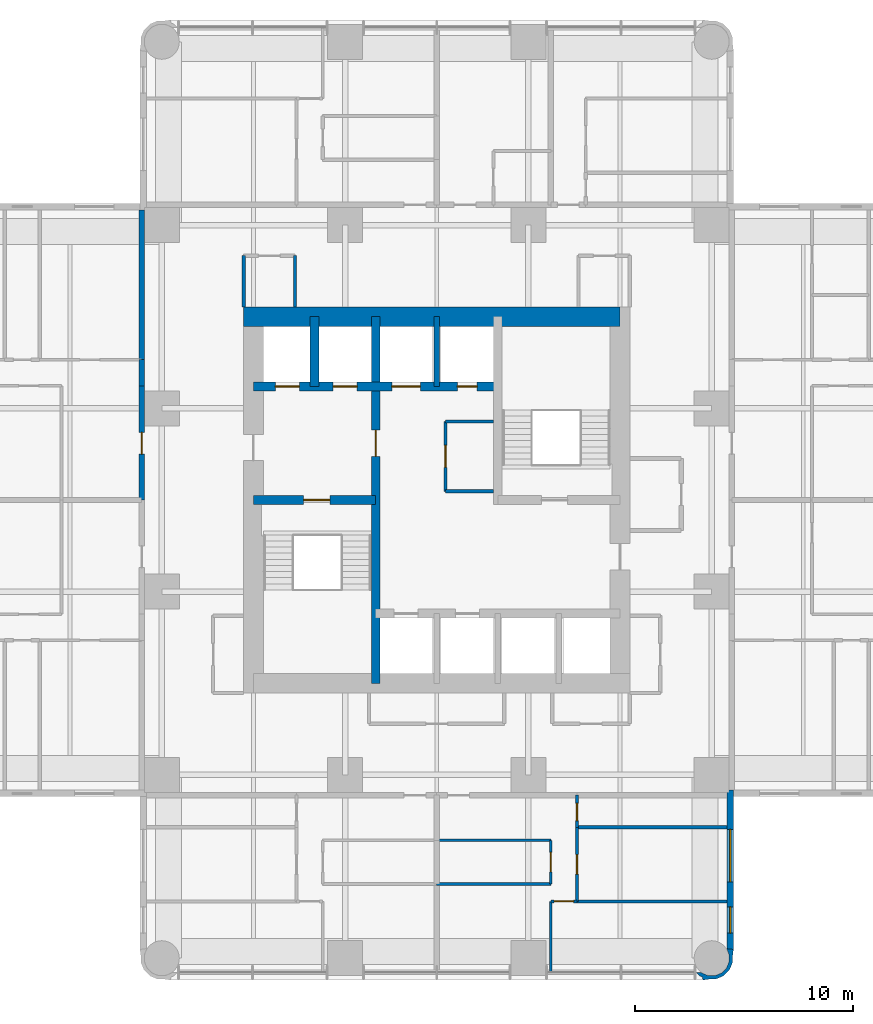
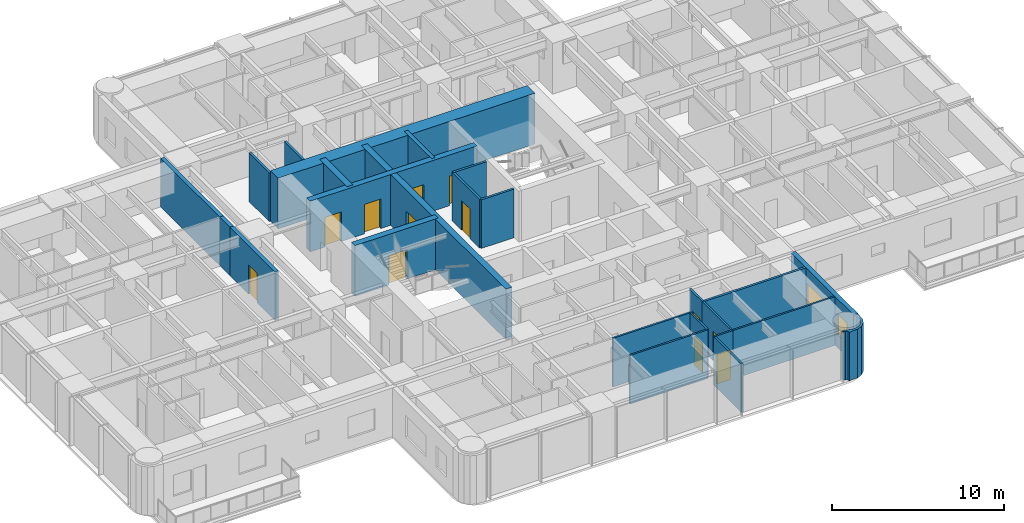
# One storey, part 8 of 15: 25 walls, 12 doors, 2 windows, 14 openings.
"""IFC4 building model written with IfcOpenShell, lengths in metres."""

from ifc_helpers import new_model, si_unit, direction, frame, frame_2d, origin, place, context, subcontext, project, spatial, polyline, rectangle, outline, extrude, material, layer, layer_set, type_object, element, fill, save


model = new_model("IFC4")

# Units and contexts
model_context = context("Model", 3, precision=1e-05, world=origin(), true_north=direction((0.0, 1.0)))
body_context = subcontext(model_context, "Body", "Model", "MODEL_VIEW")
ifc_project = project(units=[si_unit("LENGTHUNIT", "METRE"), si_unit("AREAUNIT", "SQUARE_METRE"), si_unit("VOLUMEUNIT", "CUBIC_METRE"), si_unit("PLANEANGLEUNIT", "RADIAN"), si_unit("MASSUNIT", "GRAM", prefix="KILO")], contexts=[model_context])

# Site, building, storey
site_placement = place(None, origin())
site = spatial("IfcSite", under=ifc_project, at=site_placement, CompositionType="ELEMENT")
building_placement = place(site_placement, origin())
building = spatial("IfcBuilding", under=site, at=building_placement, Name="Torre Alcanfor", CompositionType="ELEMENT")
storey_placement = place(building_placement, frame((0.0, 0.0, 144.89990234375)))
storey = spatial("IfcBuildingStorey", under=building, at=storey_placement, Name="L37", CompositionType="ELEMENT", Elevation=144.89990234375)

# Wall, opening, door
ifc_material_1 = material(Name="Concrete block masonry, hollow blocks NMX-C-404 9 MPa", Category="masonry")
ifc_layer_1 = layer(ifc_material_1, 0.25)
ifc_layer_set_1 = layer_set([ifc_layer_1], Name="Apartment entrance wall 250 EI 60")
wall_type_1 = type_object("IfcWallType", Name="Apartment entrance wall 250 EI 60", PredefinedType="PARTITIONING", material=ifc_layer_set_1)
wall_1_placement = place(storey_placement, frame((15.875, 29.39990234375, 0.0), z_axis=(0.0, 0.0, 1.0), x_axis=(0.0, 1.0, 0.0)))
wall_1 = element("IfcWall", 1, at=wall_1_placement, inside=storey, type_object=wall_type_1, Name="Partition L37-CORR / L37-W2-ZAG", PredefinedType="PARTITIONING", context=body_context, shape_type="SweptSolid", body=[
    extrude(rectangle(XDim=5.22900390625, YDim=0.25, at=frame_2d((2.614501953125, 0.0))), origin(), (0.0, 0.0, 1.0), 3.4501953125),
])
opening_1_placement = place(wall_1_placement, frame((2.10009765625, 0.0, 0.0)))
opening_1 = element("IfcOpeningElement", 2, at=opening_1_placement, cuts=wall_1, Name="Opening D-A1", PredefinedType="OPENING", context=body_context, shape_type="SweptSolid", body=[
    extrude(rectangle(XDim=1.0, YDim=2.10009765625, at=frame_2d((0.5, 1.050048828125))), frame((0.0, 0.135009765625, 0.0), z_axis=(0.0, -1.0, 0.0), x_axis=(1.0, 0.0, 0.0)), (0.0, 0.0, 1.0), 0.27001953125),
])
ifc_material_2 = material(Name="Galvanised steel sheet ASTM A653", Category="steel")
door_type_1 = type_object("IfcDoorType", Name="Apartment entrance door FD60 1000x2100", OperationType="SINGLE_SWING_LEFT", PredefinedType="DOOR", material=ifc_material_2)
door_1_placement = place(opening_1_placement, origin())
door_1 = element("IfcDoor", 3, at=door_1_placement, inside=storey, type_object=door_type_1, Name="Apartment entrance L37-W2", OperationType="SINGLE_SWING_LEFT", OverallHeight=2.10009765625, OverallWidth=1.0, PredefinedType="DOOR", context=body_context, shape_type="SweptSolid", body=[
    extrude(rectangle(XDim=1.0, YDim=2.10009765625, at=frame_2d((0.5, 1.050048828125))), frame((0.0, 0.02490234375, 0.0), z_axis=(0.0, -1.0, 0.0), x_axis=(1.0, 0.0, 0.0)), (0.0, 0.0, 1.0), 0.050048828125),
])
fill(opening_1, door_1)

# Walls
wall_2_placement = place(storey_placement, frame((15.875, 34.62890625, 0.0), z_axis=(0.0, 0.0, 1.0), x_axis=(0.0, 1.0, 0.0)))
element("IfcWall", 4, at=wall_2_placement, inside=storey, type_object=wall_type_1, Name="Partition L37-CORR / L37-W2-HALL", PredefinedType="PARTITIONING", context=body_context, shape_type="SweptSolid", body=[
    extrude(rectangle(XDim=1.2001953125, YDim=0.25, at=frame_2d((0.60009765625, 0.0))), origin(), (0.0, 0.0, 1.0), 3.4501953125),
])
wall_3_placement = place(storey_placement, frame((15.875, 35.8291015625, 0.0), z_axis=(0.0, 0.0, 1.0), x_axis=(0.0, 1.0, 0.0)))
element("IfcWall", 5, at=wall_3_placement, inside=storey, type_object=wall_type_1, Name="Partition L37-CORR / L37-W2-BED2", PredefinedType="PARTITIONING", context=body_context, shape_type="SweptSolid", body=[
    extrude(rectangle(XDim=6.870849609375, YDim=0.25, at=frame_2d((3.435546875, 0.0))), origin(), (0.0, 0.0, 1.0), 3.4501953125),
])
ifc_material_3 = material(Name="Gypsum board on steel studs", Category="steel")
ifc_layer_2 = layer(ifc_material_3, 0.1201171875)
ifc_layer_set_2 = layer_set([ifc_layer_2], Name="Apartment partition 120")
wall_type_2 = type_object("IfcWallType", Name="Apartment partition 120", PredefinedType="PARTITIONING", material=ifc_layer_set_2)
wall_4_placement = place(storey_placement, frame((29.39990234375, 11.800048828125, 0.0), z_axis=(0.0, 0.0, 1.0), x_axis=(1.0, 0.0, 0.0)))
element("IfcWall", 6, at=wall_4_placement, inside=storey, type_object=wall_type_2, Name="Partition L37-S1-KITCHEN / L37-S1-LIVING", PredefinedType="PARTITIONING", context=body_context, shape_type="SweptSolid", body=[
    extrude(rectangle(XDim=5.22900390625, YDim=0.1201171875, at=frame_2d((2.614501953125, 0.0))), origin(), (0.0, 0.0, 1.0), 3.4501953125),
])

# Wall, opening, door
wall_5_placement = place(storey_placement, frame((34.62890625, 11.800048828125, 0.0), z_axis=(0.0, 0.0, 1.0), x_axis=(0.0, 1.0, 0.0)))
wall_5 = element("IfcWall", 7, at=wall_5_placement, inside=storey, type_object=wall_type_2, Name="Partition L37-S1-KITCHEN / L37-S1-LIVING", PredefinedType="PARTITIONING", context=body_context, shape_type="SweptSolid", body=[
    extrude(rectangle(XDim=2.0, YDim=0.1201171875, at=frame_2d((1.0, 0.0))), origin(), (0.0, 0.0, 1.0), 3.4501953125),
])
opening_2_placement = place(wall_5_placement, frame((0.550048828125, 0.0, 0.0)))
opening_2 = element("IfcOpeningElement", 8, at=opening_2_placement, cuts=wall_5, Name="Opening D-R1", PredefinedType="OPENING", context=body_context, shape_type="SweptSolid", body=[
    extrude(rectangle(XDim=0.89990234375, YDim=2.10009765625, at=frame_2d((0.449951171875, 1.050048828125))), frame((0.0, 0.070068359375, 0.0), z_axis=(0.0, -1.0, 0.0), x_axis=(1.0, 0.0, 0.0)), (0.0, 0.0, 1.0), 0.14013671875),
])
ifc_material_4 = material(Name="Timber", Category="wood")
door_type_2 = type_object("IfcDoorType", Name="Internal door 900x2100", OperationType="SINGLE_SWING_LEFT", PredefinedType="DOOR", material=ifc_material_4)
door_2_placement = place(opening_2_placement, origin())
door_2 = element("IfcDoor", 9, at=door_2_placement, inside=storey, type_object=door_type_2, Name="Door L37-S1 kitchen", OperationType="SINGLE_SWING_LEFT", OverallHeight=2.10009765625, OverallWidth=0.89990234375, PredefinedType="DOOR", context=body_context, shape_type="SweptSolid", body=[
    extrude(rectangle(XDim=0.89990234375, YDim=2.10009765625, at=frame_2d((0.449951171875, 1.050048828125))), frame((0.0, 0.02490234375, 0.0), z_axis=(0.0, -1.0, 0.0), x_axis=(1.0, 0.0, 0.0)), (0.0, 0.0, 1.0), 0.050048828125),
])
fill(opening_2, door_2)

# Wall
wall_6_placement = place(storey_placement, frame((34.62890625, 13.800048828125, 0.0), z_axis=(0.0, 0.0, 1.0), x_axis=(-1.0, 0.0, 0.0)))
element("IfcWall", 10, at=wall_6_placement, inside=storey, type_object=wall_type_2, Name="Partition L37-S1-KITCHEN / L37-S1-LIVING", PredefinedType="PARTITIONING", context=body_context, shape_type="SweptSolid", body=[
    extrude(rectangle(XDim=5.22900390625, YDim=0.1201171875, at=frame_2d((2.614501953125, 0.0))), origin(), (0.0, 0.0, 1.0), 3.4501953125),
])

# Wall, opening, door
wall_7_placement = place(storey_placement, frame((35.8291015625, 14.39990234375, 0.0), z_axis=(0.0, 0.0, 1.0), x_axis=(0.0, -1.0, 0.0)))
wall_7 = element("IfcWall", 11, at=wall_7_placement, inside=storey, type_object=wall_type_2, Name="Partition L37-S1-LIVING / L37-S1-STUDY", PredefinedType="PARTITIONING", context=body_context, shape_type="SweptSolid", body=[
    extrude(rectangle(XDim=3.39990234375, YDim=0.1201171875, at=frame_2d((1.699951171875, 0.0))), origin(), (0.0, 0.0, 1.0), 3.4501953125),
])
opening_3_placement = place(wall_7_placement, frame((1.25, 0.0, 0.0)))
opening_3 = element("IfcOpeningElement", 12, at=opening_3_placement, cuts=wall_7, Name="Opening D-R1", PredefinedType="OPENING", context=body_context, shape_type="SweptSolid", body=[
    extrude(rectangle(XDim=0.89990234375, YDim=2.10009765625, at=frame_2d((0.449951171875, 1.050048828125))), frame((0.0, 0.070068359375, 0.0), z_axis=(0.0, -1.0, 0.0), x_axis=(1.0, 0.0, 0.0)), (0.0, 0.0, 1.0), 0.14013671875),
])
door_3_placement = place(opening_3_placement, origin())
door_3 = element("IfcDoor", 13, at=door_3_placement, inside=storey, type_object=door_type_2, Name="Door L37-S1 study", OperationType="SINGLE_SWING_LEFT", OverallHeight=2.10009765625, OverallWidth=0.89990234375, PredefinedType="DOOR", context=body_context, shape_type="SweptSolid", body=[
    extrude(rectangle(XDim=0.89990234375, YDim=2.10009765625, at=frame_2d((0.449951171875, 1.050048828125))), frame((0.0, 0.02490234375, 0.0), z_axis=(0.0, -1.0, 0.0), x_axis=(1.0, 0.0, 0.0)), (0.0, 0.0, 1.0), 0.050048828125),
])
fill(opening_3, door_3)

wall_8_placement = place(storey_placement, frame((35.8291015625, 11.0, 0.0), z_axis=(0.0, 0.0, 1.0), x_axis=(-1.0, 0.0, 0.0)))
wall_8 = element("IfcWall", 14, at=wall_8_placement, inside=storey, type_object=wall_type_2, Name="Partition L37-S1-LIVING / L37-S1-MASTER", PredefinedType="PARTITIONING", context=body_context, shape_type="SweptSolid", body=[
    extrude(rectangle(XDim=1.2001953125, YDim=0.1201171875, at=frame_2d((0.60009765625, 0.0))), origin(), (0.0, 0.0, 1.0), 3.4501953125),
])
opening_4_placement = place(wall_8_placement, frame((0.14892578125, 0.0, 0.0)))
opening_4 = element("IfcOpeningElement", 15, at=opening_4_placement, cuts=wall_8, Name="Opening D-R1", PredefinedType="OPENING", context=body_context, shape_type="SweptSolid", body=[
    extrude(rectangle(XDim=0.89990234375, YDim=2.10009765625, at=frame_2d((0.449951171875, 1.050048828125))), frame((0.0, 0.070068359375, 0.0), z_axis=(0.0, -1.0, 0.0), x_axis=(1.0, 0.0, 0.0)), (0.0, 0.0, 1.0), 0.14013671875),
])
door_4_placement = place(opening_4_placement, origin())
door_4 = element("IfcDoor", 16, at=door_4_placement, inside=storey, type_object=door_type_2, Name="Door L37-S1 master", OperationType="SINGLE_SWING_RIGHT", OverallHeight=2.10009765625, OverallWidth=0.89990234375, PredefinedType="DOOR", context=body_context, shape_type="SweptSolid", body=[
    extrude(rectangle(XDim=0.89990234375, YDim=2.10009765625, at=frame_2d((0.449951171875, 1.050048828125))), frame((0.0, 0.02490234375, 0.0), z_axis=(0.0, -1.0, 0.0), x_axis=(1.0, 0.0, 0.0)), (0.0, 0.0, 1.0), 0.050048828125),
])
fill(opening_4, door_4)

# Walls
wall_9_placement = place(storey_placement, frame((34.62890625, 11.0, 0.0), z_axis=(0.0, 0.0, 1.0), x_axis=(0.0, -1.0, 0.0)))
element("IfcWall", 17, at=wall_9_placement, inside=storey, type_object=wall_type_2, Name="Partition L37-S1-LIVING / L37-S1-MASTER", PredefinedType="PARTITIONING", context=body_context, shape_type="SweptSolid", body=[
    extrude(rectangle(XDim=3.25, YDim=0.1201171875, at=frame_2d((1.625, 0.0))), origin(), (0.0, 0.0, 1.0), 3.4501953125),
])
wall_10_placement = place(storey_placement, frame((35.8291015625, 11.0, 0.0), z_axis=(0.0, 0.0, 1.0), x_axis=(1.0, 0.0, 0.0)))
element("IfcWall", 18, at=wall_10_placement, inside=storey, type_object=wall_type_2, Name="Partition L37-S1-STUDY / L37-S1-MASTER", PredefinedType="PARTITIONING", context=body_context, shape_type="SweptSolid", body=[
    extrude(rectangle(XDim=6.870849609375, YDim=0.1201171875, at=frame_2d((3.435546875, 0.0))), origin(), (0.0, 0.0, 1.0), 3.4501953125),
])

# Wall, opening, door
ifc_material_5 = material(Name="Concrete f'c 70 MPa", Category="concrete")
ifc_layer_3 = layer(ifc_material_5, 0.39990234375)
ifc_layer_set_3 = layer_set([ifc_layer_3], Name="Core inner wall 400 f'c70")
wall_type_3 = type_object("IfcWallType", Name="Core inner wall 400 f'c70", PredefinedType="SHEAR", material=ifc_layer_set_3)
wall_11_placement = place(storey_placement, frame((26.60009765625, 21.0, 0.0), z_axis=(0.0, 0.0, 1.0), x_axis=(0.0, 1.0, 0.0)))
wall_11 = element("IfcWall", 19, at=wall_11_placement, inside=storey, type_object=wall_type_3, Name="Core wall X266 L37", PredefinedType="SHEAR", context=body_context, shape_type="SweptSolid", body=[
    extrude(rectangle(XDim=16.800048828125, YDim=0.39990234375, at=frame_2d((8.39990234375, 0.0))), origin(), (0.0, 0.0, 1.0), 3.60009765625),
])
opening_5_placement = place(wall_11_placement, frame((10.39990234375, 0.0, 0.0)))
opening_5 = element("IfcOpeningElement", 20, at=opening_5_placement, cuts=wall_11, Name="Opening D-L1", PredefinedType="OPENING", context=body_context, shape_type="SweptSolid", body=[
    extrude(rectangle(XDim=1.199951171875, YDim=2.10009765625, at=frame_2d((0.60009765625, 1.050048828125))), frame((0.0, 0.2099609375, 0.0), z_axis=(0.0, -1.0, 0.0), x_axis=(1.0, 0.0, 0.0)), (0.0, 0.0, 1.0), 0.419921875),
])
ifc_material_6 = material(Name="Galvanised steel sheet ASTM A653", Category="steel")
door_type_3 = type_object("IfcDoorType", Name="Lobby door FD120 1200x2100", OperationType="SINGLE_SWING_LEFT", PredefinedType="DOOR", material=ifc_material_6)
door_5_placement = place(opening_5_placement, origin())
door_5 = element("IfcDoor", 21, at=door_5_placement, inside=storey, type_object=door_type_3, Name="Lift lobby door L37", OperationType="SINGLE_SWING_LEFT", OverallHeight=2.10009765625, OverallWidth=1.199951171875, PredefinedType="DOOR", context=body_context, shape_type="SweptSolid", body=[
    extrude(rectangle(XDim=1.199951171875, YDim=2.10009765625, at=frame_2d((0.60009765625, 1.050048828125))), frame((0.0, 0.02490234375, 0.0), z_axis=(0.0, -1.0, 0.0), x_axis=(1.0, 0.0, 0.0)), (0.0, 0.0, 1.0), 0.050048828125),
])
fill(opening_5, door_5)

wall_12_placement = place(storey_placement, frame((21.0, 29.39990234375, 0.0), z_axis=(0.0, 0.0, 1.0), x_axis=(1.0, 0.0, 0.0)))
wall_12 = element("IfcWall", 22, at=wall_12_placement, inside=storey, type_object=wall_type_3, Name="Core wall Y294W L37", PredefinedType="SHEAR", context=body_context, shape_type="SweptSolid", body=[
    extrude(rectangle(XDim=5.60009765625, YDim=0.39990234375, at=frame_2d((2.800048828125, 0.0))), origin(), (0.0, 0.0, 1.0), 3.60009765625),
])
opening_6_placement = place(wall_12_placement, frame((2.300048828125, 0.0, 0.0)))
opening_6 = element("IfcOpeningElement", 23, at=opening_6_placement, cuts=wall_12, Name="Opening D-S2", PredefinedType="OPENING", context=body_context, shape_type="SweptSolid", body=[
    extrude(rectangle(XDim=1.199951171875, YDim=2.10009765625, at=frame_2d((0.60009765625, 1.050048828125))), frame((0.0, 0.2099609375, 0.0), z_axis=(0.0, -1.0, 0.0), x_axis=(1.0, 0.0, 0.0)), (0.0, 0.0, 1.0), 0.419921875),
])
ifc_material_7 = material(Name="Galvanised steel sheet ASTM A653", Category="steel")
door_type_4 = type_object("IfcDoorType", Name="Stair enclosure door FD120 1200x2100", OperationType="SINGLE_SWING_LEFT", PredefinedType="DOOR", material=ifc_material_7)
door_6_placement = place(opening_6_placement, frame((1.199951171875, 0.0, 0.0), z_axis=(0.0, 0.0, 1.0), x_axis=(-1.0, 0.0, 0.0)))
door_6 = element("IfcDoor", 24, at=door_6_placement, inside=storey, type_object=door_type_4, Name="Stair S1 door L37", OperationType="SINGLE_SWING_LEFT", OverallHeight=2.10009765625, OverallWidth=1.199951171875, PredefinedType="DOOR", context=body_context, shape_type="SweptSolid", body=[
    extrude(rectangle(XDim=1.199951171875, YDim=2.10009765625, at=frame_2d((0.599853515625, 1.050048828125))), frame((0.0, 0.025146484375, 0.0), z_axis=(0.0, -1.0, 0.0), x_axis=(1.0, 0.0, 0.0)), (0.0, 0.0, 1.0), 0.050048828125),
])
fill(opening_6, door_6)

# Wall, openings, doors
wall_13_placement = place(storey_placement, frame((21.0, 34.60009765625, 0.0), z_axis=(0.0, 0.0, 1.0), x_axis=(1.0, 0.0, 0.0)))
wall_13 = element("IfcWall", 25, at=wall_13_placement, inside=storey, type_object=wall_type_3, Name="Core wall Y346 L37", PredefinedType="SHEAR", context=body_context, shape_type="SweptSolid", body=[
    extrude(rectangle(XDim=11.199951171875, YDim=0.39990234375, at=frame_2d((5.60009765625, 0.0))), origin(), (0.0, 0.0, 1.0), 3.60009765625),
])
opening_7_placement = place(wall_13_placement, frame((9.35009765625, 0.0, 0.0)))
opening_7 = element("IfcOpeningElement", 26, at=opening_7_placement, cuts=wall_13, Name="Opening D-Q1", PredefinedType="OPENING", context=body_context, shape_type="SweptSolid", body=[
    extrude(rectangle(XDim=0.89990234375, YDim=2.10009765625, at=frame_2d((0.449951171875, 1.050048828125))), frame((0.0, 0.2099609375, 0.0), z_axis=(0.0, -1.0, 0.0), x_axis=(1.0, 0.0, 0.0)), (0.0, 0.0, 1.0), 0.419921875),
])
opening_8_placement = place(wall_13_placement, frame((1.0, 0.0, 0.0)))
opening_8 = element("IfcOpeningElement", 27, at=opening_8_placement, cuts=wall_13, Name="Opening LD2", PredefinedType="OPENING", context=body_context, shape_type="SweptSolid", body=[
    extrude(rectangle(XDim=1.10009765625, YDim=2.10009765625, at=frame_2d((0.550048828125, 1.050048828125))), frame((0.0, 0.2099609375, 0.0), z_axis=(0.0, -1.0, 0.0), x_axis=(1.0, 0.0, 0.0)), (0.0, 0.0, 1.0), 0.419921875),
])
opening_9_placement = place(wall_13_placement, frame((3.64990234375, 0.0, 0.0)))
opening_9 = element("IfcOpeningElement", 28, at=opening_9_placement, cuts=wall_13, Name="Opening LD2", PredefinedType="OPENING", context=body_context, shape_type="SweptSolid", body=[
    extrude(rectangle(XDim=1.10009765625, YDim=2.10009765625, at=frame_2d((0.550048828125, 1.050048828125))), frame((0.0, 0.2099609375, 0.0), z_axis=(0.0, -1.0, 0.0), x_axis=(1.0, 0.0, 0.0)), (0.0, 0.0, 1.0), 0.419921875),
])
opening_10_placement = place(wall_13_placement, frame((6.35009765625, 0.0, 0.0)))
opening_10 = element("IfcOpeningElement", 29, at=opening_10_placement, cuts=wall_13, Name="Opening LD3", PredefinedType="OPENING", context=body_context, shape_type="SweptSolid", body=[
    extrude(rectangle(XDim=1.300048828125, YDim=2.10009765625, at=frame_2d((0.64990234375, 1.050048828125))), frame((0.0, 0.2099609375, 0.0), z_axis=(0.0, -1.0, 0.0), x_axis=(1.0, 0.0, 0.0)), (0.0, 0.0, 1.0), 0.419921875),
])
ifc_material_8 = material(Name="Galvanised steel sheet ASTM A653", Category="steel")
door_type_5 = type_object("IfcDoorType", Name="Firefighting lift landing door 1100x2100", OperationType="DOUBLE_DOOR_SLIDING", PredefinedType="DOOR", material=ifc_material_8)
door_7_placement = place(opening_8_placement, origin())
door_7 = element("IfcDoor", 30, at=door_7_placement, inside=storey, type_object=door_type_5, Name="Lift landing door FL1 L37", OperationType="DOUBLE_DOOR_SLIDING", OverallHeight=2.10009765625, OverallWidth=1.10009765625, PredefinedType="DOOR", context=body_context, shape_type="SweptSolid", body=[
    extrude(rectangle(XDim=1.10009765625, YDim=2.10009765625, at=frame_2d((0.550048828125, 1.050048828125))), frame((0.0, 0.02490234375, 0.0), z_axis=(0.0, -1.0, 0.0), x_axis=(1.0, 0.0, 0.0)), (0.0, 0.0, 1.0), 0.050048828125),
])
fill(opening_8, door_7)
door_8_placement = place(opening_9_placement, origin())
door_8 = element("IfcDoor", 31, at=door_8_placement, inside=storey, type_object=door_type_5, Name="Lift landing door FL2 L37", OperationType="DOUBLE_DOOR_SLIDING", OverallHeight=2.10009765625, OverallWidth=1.10009765625, PredefinedType="DOOR", context=body_context, shape_type="SweptSolid", body=[
    extrude(rectangle(XDim=1.10009765625, YDim=2.10009765625, at=frame_2d((0.550048828125, 1.050048828125))), frame((0.0, 0.02490234375, 0.0), z_axis=(0.0, -1.0, 0.0), x_axis=(1.0, 0.0, 0.0)), (0.0, 0.0, 1.0), 0.050048828125),
])
fill(opening_9, door_8)
ifc_material_9 = material(Name="Galvanised steel sheet ASTM A653", Category="steel")
door_type_6 = type_object("IfcDoorType", Name="Riser access door FD120 900x2100", OperationType="SINGLE_SWING_LEFT", PredefinedType="DOOR", material=ifc_material_9)
door_9_placement = place(opening_7_placement, origin())
door_9 = element("IfcDoor", 32, at=door_9_placement, inside=storey, type_object=door_type_6, Name="Riser door L37", OperationType="SINGLE_SWING_LEFT", OverallHeight=2.10009765625, OverallWidth=0.89990234375, PredefinedType="DOOR", context=body_context, shape_type="SweptSolid", body=[
    extrude(rectangle(XDim=0.89990234375, YDim=2.10009765625, at=frame_2d((0.449951171875, 1.050048828125))), frame((0.0, 0.02490234375, 0.0), z_axis=(0.0, -1.0, 0.0), x_axis=(1.0, 0.0, 0.0)), (0.0, 0.0, 1.0), 0.050048828125),
])
fill(opening_7, door_9)
ifc_material_10 = material(Name="Galvanised steel sheet ASTM A653", Category="steel")
door_type_7 = type_object("IfcDoorType", Name="Service lift landing door 1300x2100", OperationType="DOUBLE_DOOR_SLIDING", PredefinedType="DOOR", material=ifc_material_10)
door_10_placement = place(opening_10_placement, origin())
door_10 = element("IfcDoor", 33, at=door_10_placement, inside=storey, type_object=door_type_7, Name="Lift landing door SL1 L37", OperationType="DOUBLE_DOOR_SLIDING", OverallHeight=2.10009765625, OverallWidth=1.300048828125, PredefinedType="DOOR", context=body_context, shape_type="SweptSolid", body=[
    extrude(rectangle(XDim=1.300048828125, YDim=2.10009765625, at=frame_2d((0.64990234375, 1.050048828125))), frame((0.0, 0.02490234375, 0.0), z_axis=(0.0, -1.0, 0.0), x_axis=(1.0, 0.0, 0.0)), (0.0, 0.0, 1.0), 0.050048828125),
])
fill(opening_10, door_10)

# Walls
wall_14_placement = place(storey_placement, frame((23.800048828125, 34.60009765625, 0.0), z_axis=(0.0, 0.0, 1.0), x_axis=(0.0, 1.0, 0.0)))
element("IfcWall", 34, at=wall_14_placement, inside=storey, type_object=wall_type_3, Name="Core wall X238 L37", PredefinedType="SHEAR", context=body_context, shape_type="SweptSolid", body=[
    extrude(rectangle(XDim=3.199951171875, YDim=0.39990234375, at=frame_2d((1.60009765625, 0.0))), origin(), (0.0, 0.0, 1.0), 3.60009765625),
])
ifc_material_11 = material(Name="Concrete f'c 70 MPa", Category="concrete")
ifc_layer_4 = layer(ifc_material_11, 0.25)
ifc_layer_set_4 = layer_set([ifc_layer_4], Name="Core shaft wall 250 f'c70")
wall_type_4 = type_object("IfcWallType", Name="Core shaft wall 250 f'c70", PredefinedType="SHEAR", material=ifc_layer_set_4)
wall_15_placement = place(storey_placement, frame((29.39990234375, 34.60009765625, 0.0), z_axis=(0.0, 0.0, 1.0), x_axis=(0.0, 1.0, 0.0)))
element("IfcWall", 35, at=wall_15_placement, inside=storey, type_object=wall_type_4, Name="Core wall X294N L37", PredefinedType="SHEAR", context=body_context, shape_type="SweptSolid", body=[
    extrude(rectangle(XDim=3.199951171875, YDim=0.25, at=frame_2d((1.60009765625, 0.0))), origin(), (0.0, 0.0, 1.0), 3.60009765625),
])
ifc_material_12 = material(Name="Concrete f'c 70 MPa", Category="concrete")
ifc_layer_5 = layer(ifc_material_12, 0.89990234375)
ifc_layer_set_5 = layer_set([ifc_layer_5], Name="Core wall 900 f'c70")
wall_type_5 = type_object("IfcWallType", Name="Core wall 900 f'c70", PredefinedType="SHEAR", material=ifc_layer_set_5)
wall_16_placement = place(storey_placement, frame((37.800048828125, 37.800048828125, 0.0), z_axis=(0.0, 0.0, 1.0), x_axis=(-1.0, 0.0, 0.0)))
element("IfcWall", 36, at=wall_16_placement, inside=storey, type_object=wall_type_5, Name="Core wall OUT-N L37", PredefinedType="SHEAR", context=body_context, shape_type="SweptSolid", body=[
    extrude(rectangle(XDim=17.25, YDim=0.89990234375, at=frame_2d((8.625, 0.0))), origin(), (0.0, 0.0, 1.0), 3.60009765625),
])

# Wall, openings, windows
ifc_material_13 = material(Name="Limestone cladding", Category="masonry")
ifc_layer_6 = layer(ifc_material_13, 0.0400390625, Name="Facing")
ifc_material_14 = material(Name="Ventilated air cavity")
ifc_layer_7 = layer(ifc_material_14, 0.02001953125, ventilated=True, Name="Ventilated joint")
ifc_material_15 = material(Name="Mineral wool insulation", Category="insulation")
ifc_layer_8 = layer(ifc_material_15, 0.10009765625, Name="Insulation")
ifc_material_16 = material(Name="Concrete f'c 35 MPa", Category="concrete")
ifc_layer_9 = layer(ifc_material_16, 0.139892578125, Name="Backing")
ifc_layer_set_6 = layer_set([ifc_layer_6, ifc_layer_7, ifc_layer_8, ifc_layer_9], Name="External wall stone-clad 300")
wall_type_6 = type_object("IfcWallType", Name="External wall stone-clad 300", PredefinedType="SOLIDWALL", material=ifc_layer_set_6)
wall_17_placement = place(storey_placement, frame((42.85009765625, 8.800048828125, 0.0), z_axis=(0.0, 0.0, 1.0), x_axis=(0.0, 1.0, 0.0)))
wall_17 = element("IfcWall", 37, at=wall_17_placement, inside=storey, type_object=wall_type_6, Name="External wall L37 6", PredefinedType="SOLIDWALL", context=body_context, shape_type="SweptSolid", body=[
    extrude(rectangle(XDim=7.300048828125, YDim=0.300048828125, at=frame_2d((3.64990234375, 0.0))), origin(), (0.0, 0.0, 1.0), 3.4501953125),
])
opening_11_placement = place(wall_17_placement, frame((3.10009765625, 0.0, 0.89990234375)))
opening_11 = element("IfcOpeningElement", 38, at=opening_11_placement, cuts=wall_17, Name="Opening W1", PredefinedType="OPENING", context=body_context, shape_type="SweptSolid", body=[
    extrude(rectangle(XDim=2.39990234375, YDim=1.5, at=frame_2d((1.199951171875, 0.75))), frame((0.0, 0.159912109375, 0.0), z_axis=(0.0, -1.0, 0.0), x_axis=(1.0, 0.0, 0.0)), (0.0, 0.0, 1.0), 0.320068359375),
])
opening_12_placement = place(wall_17_placement, frame((0.75, 0.0, 0.89990234375)))
opening_12 = element("IfcOpeningElement", 39, at=opening_12_placement, cuts=wall_17, Name="Opening W4", PredefinedType="OPENING", context=body_context, shape_type="SweptSolid", body=[
    extrude(rectangle(XDim=1.199951171875, YDim=1.5, at=frame_2d((0.60009765625, 0.75))), frame((0.0, 0.159912109375, 0.0), z_axis=(0.0, -1.0, 0.0), x_axis=(1.0, 0.0, 0.0)), (0.0, 0.0, 1.0), 0.320068359375),
])
ifc_material_17 = material(Name="Aluminium frame with clear double glazing", Category="aluminium")
window_type_1 = type_object("IfcWindowType", Name="Window bedroom 1200x1500", PartitioningType="SINGLE_PANEL", PredefinedType="WINDOW", material=ifc_material_17)
window_1_placement = place(opening_12_placement, origin())
window_1 = element("IfcWindow", 40, at=window_1_placement, inside=storey, type_object=window_type_1, Name="Window W4 L37-S1", OverallHeight=1.5, OverallWidth=1.199951171875, PartitioningType="SINGLE_PANEL", PredefinedType="WINDOW", context=body_context, shape_type="SweptSolid", body=[
    extrude(rectangle(XDim=1.199951171875, YDim=1.5, at=frame_2d((0.60009765625, 0.75))), frame((0.0, 0.030029296875, 0.0), z_axis=(0.0, -1.0, 0.0), x_axis=(1.0, 0.0, 0.0)), (0.0, 0.0, 1.0), 0.06005859375),
])
fill(opening_12, window_1)
ifc_material_18 = material(Name="Aluminium frame with clear double glazing", Category="aluminium")
window_type_2 = type_object("IfcWindowType", Name="Window bedroom 2400x1500", PartitioningType="SINGLE_PANEL", PredefinedType="WINDOW", material=ifc_material_18)
window_2_placement = place(opening_11_placement, origin())
window_2 = element("IfcWindow", 41, at=window_2_placement, inside=storey, type_object=window_type_2, Name="Window W1 L37-S1", OverallHeight=1.5, OverallWidth=2.39990234375, PartitioningType="SINGLE_PANEL", PredefinedType="WINDOW", context=body_context, shape_type="SweptSolid", body=[
    extrude(rectangle(XDim=2.39990234375, YDim=1.5, at=frame_2d((1.199951171875, 0.75))), frame((0.0, 0.030029296875, 0.0), z_axis=(0.0, -1.0, 0.0), x_axis=(1.0, 0.0, 0.0)), (0.0, 0.0, 1.0), 0.06005859375),
])
fill(opening_11, window_2)

# Walls
ifc_material_19 = material(Name="Concrete block masonry, hollow blocks NMX-C-404 9 MPa", Category="masonry")
ifc_layer_10 = layer(ifc_material_19, 0.14990234375)
ifc_layer_set_7 = layer_set([ifc_layer_10], Name="Residents' room partition 150")
wall_type_7 = type_object("IfcWallType", Name="Residents' room partition 150", PredefinedType="PARTITIONING", material=ifc_layer_set_7)
for number, where, z_axis, x_axis, name in (
    (42, (22.89990234375, 38.25, 0.0), (0.0, 0.0, 1.0), (0.0, 1.0, 0.0), "Partition L37-CORR / L37-G01"),
    (43, (20.550048828125, 40.60009765625, 0.0), (0.0, 0.0, 1.0), (0.0, -1.0, 0.0), "Partition L37-CORR / L37-G01"),
):
    element("IfcWall", number, at=place(storey_placement, frame(where, z_axis=z_axis, x_axis=x_axis)), inside=storey, type_object=wall_type_7, Name=name, PredefinedType="PARTITIONING", context=body_context, shape_type="SweptSolid", body=[
        extrude(rectangle(XDim=2.35009765625, YDim=0.14990234375, at=frame_2d((1.175048828125, 0.0))), origin(), (0.0, 0.0, 1.0), 3.4501953125),
    ])
wall_18_placement = place(storey_placement, frame((32.0, 29.800048828125, 0.0), z_axis=(0.0, 0.0, 1.0), x_axis=(-1.0, 0.0, 0.0)))
element("IfcWall", 44, at=wall_18_placement, inside=storey, type_object=wall_type_7, Name="Partition L37-LL / L37-CR1", PredefinedType="PARTITIONING", context=body_context, shape_type="SweptSolid", body=[
    extrude(rectangle(XDim=2.199951171875, YDim=0.14990234375, at=frame_2d((1.10009765625, 0.0))), origin(), (0.0, 0.0, 1.0), 3.4501953125),
])

# Wall, opening, door
wall_19_placement = place(storey_placement, frame((29.800048828125, 29.800048828125, 0.0), z_axis=(0.0, 0.0, 1.0), x_axis=(0.0, 1.0, 0.0)))
wall_19 = element("IfcWall", 45, at=wall_19_placement, inside=storey, type_object=wall_type_7, Name="Partition L37-LL / L37-CR1", PredefinedType="PARTITIONING", context=body_context, shape_type="SweptSolid", body=[
    extrude(rectangle(XDim=3.199951171875, YDim=0.14990234375, at=frame_2d((1.60009765625, 0.0))), origin(), (0.0, 0.0, 1.0), 3.4501953125),
])
opening_13_placement = place(wall_19_placement, frame((1.10009765625, 0.0, 0.0)))
opening_13 = element("IfcOpeningElement", 46, at=opening_13_placement, cuts=wall_19, Name="Opening D-M1", PredefinedType="OPENING", context=body_context, shape_type="SweptSolid", body=[
    extrude(rectangle(XDim=1.0, YDim=2.10009765625, at=frame_2d((0.5, 1.050048828125))), frame((0.0, 0.0849609375, 0.0), z_axis=(0.0, -1.0, 0.0), x_axis=(1.0, 0.0, 0.0)), (0.0, 0.0, 1.0), 0.169921875),
])
ifc_material_20 = material(Name="Timber", Category="wood")
door_type_8 = type_object("IfcDoorType", Name="Residents' room door 1000x2100", OperationType="SINGLE_SWING_LEFT", PredefinedType="DOOR", material=ifc_material_20)
door_11_placement = place(opening_13_placement, frame((1.0, 0.0, 0.0), z_axis=(0.0, 0.0, 1.0), x_axis=(-1.0, 0.0, 0.0)))
door_11 = element("IfcDoor", 47, at=door_11_placement, inside=storey, type_object=door_type_8, Name="Residents' parcel room door L37", OperationType="SINGLE_SWING_RIGHT", OverallHeight=2.10009765625, OverallWidth=1.0, PredefinedType="DOOR", context=body_context, shape_type="SweptSolid", body=[
    extrude(rectangle(XDim=1.0, YDim=2.10009765625, at=frame_2d((0.5, 1.050048828125))), frame((0.0, 0.025146484375, 0.0), z_axis=(0.0, -1.0, 0.0), x_axis=(1.0, 0.0, 0.0)), (0.0, 0.0, 1.0), 0.050048828125),
])
fill(opening_13, door_11)

# Walls
wall_20_placement = place(storey_placement, frame((29.800048828125, 33.0, 0.0), z_axis=(0.0, 0.0, 1.0), x_axis=(1.0, 0.0, 0.0)))
element("IfcWall", 48, at=wall_20_placement, inside=storey, type_object=wall_type_7, Name="Partition L37-LL / L37-CR1", PredefinedType="PARTITIONING", context=body_context, shape_type="SweptSolid", body=[
    extrude(rectangle(XDim=2.199951171875, YDim=0.14990234375, at=frame_2d((1.10009765625, 0.0))), origin(), (0.0, 0.0, 1.0), 3.4501953125),
])
ifc_layer_11 = layer(ifc_material_13, 0.0400390625, Name="Facing")
ifc_layer_12 = layer(ifc_material_14, 0.02001953125, ventilated=True, Name="Ventilated joint")
ifc_layer_13 = layer(ifc_material_15, 0.10009765625, Name="Insulation")
ifc_layer_14 = layer(ifc_material_16, 0.139892578125, Name="Backing")
ifc_layer_set_8 = layer_set([ifc_layer_11, ifc_layer_12, ifc_layer_13, ifc_layer_14], Name="Rounded corner pier stone-clad 300")
wall_type_8 = type_object("IfcWallType", Name="Rounded corner pier stone-clad 300", PredefinedType="SOLIDWALL", material=ifc_layer_set_8)
wall_21_placement = place(storey_placement, frame((41.351928198, 7.804682488, 0.0), z_axis=(0.0, 0.0, 1.0), x_axis=(0.343276641956, -0.93923434088, 0.0)))
element("IfcWall", 49, at=wall_21_placement, inside=storey, type_object=wall_type_8, Name="Corner pier L37 16", PredefinedType="SOLIDWALL", context=body_context, shape_type="SweptSolid", body=[
    extrude(outline(polyline([(-0.3691376945080963, 1.8896116474277462), (-0.5092849006082865, 1.6213723434863179), (-0.4904818693699753, 1.614500106025285), (-0.47937395557818696, 1.6086207727425919), (-0.21134604487110653, 1.620093396259431), (0.08789731812884549, 1.5107242513003132), (0.3226193813038204, 1.29522875171589), (0.4568297522668325, 1.0059961170728082), (0.47018090116819644, 0.6876338955306306), (0.3608955639829935, 0.3886198377896824), (0.14540006439857034, 0.15389777461470747), (0.10805580570731482, 0.136354268630141), (0.030952653705484567, -0.07460656965335008), (0.24105149879401783, 0.023022242841209073), (0.33345144333490195, 0.12363819812835387), (0.46537419024986754, 0.09413770889727405), (0.5320249985235461, 0.39313792602006), (0.6305829406476248, 0.6628009106085226), (0.6143313238115743, 1.0443478664441104), (0.4534111053034037, 1.390650880852334), (0.17226586261802523, 1.6491069643028293), (-0.09739712197043726, 1.7476649064269079), (-0.3691376945080963, 1.8896116474277462)])), origin(), (0.0, 0.0, 1.0), 3.4501953125),
])

# Wall, opening, door
ifc_material_21 = material(Name="Cement board on steel studs", Category="steel")
ifc_layer_15 = layer(ifc_material_21, 0.14990234375)
ifc_layer_set_9 = layer_set([ifc_layer_15], Name="Wet area partition 150")
wall_type_9 = type_object("IfcWallType", Name="Wet area partition 150", PredefinedType="PARTITIONING", material=ifc_layer_set_9)
wall_22_placement = place(storey_placement, frame((35.8291015625, 15.875, 0.0), z_axis=(0.0, 0.0, 1.0), x_axis=(0.0, -1.0, 0.0)))
wall_22 = element("IfcWall", 50, at=wall_22_placement, inside=storey, type_object=wall_type_9, Name="Partition L37-S1-LIVING / L37-S1-BATH", PredefinedType="PARTITIONING", context=body_context, shape_type="SweptSolid", body=[
    extrude(rectangle(XDim=1.47509765625, YDim=0.14990234375, at=frame_2d((0.737548828125, 0.0))), origin(), (0.0, 0.0, 1.0), 3.4501953125),
])
opening_14_placement = place(wall_22_placement, frame((0.375, 0.0, 0.0)))
opening_14 = element("IfcOpeningElement", 51, at=opening_14_placement, cuts=wall_22, Name="Opening D-R2", PredefinedType="OPENING", context=body_context, shape_type="SweptSolid", body=[
    extrude(rectangle(XDim=0.800048828125, YDim=2.10009765625, at=frame_2d((0.39990234375, 1.050048828125))), frame((0.0, 0.0849609375, 0.0), z_axis=(0.0, -1.0, 0.0), x_axis=(1.0, 0.0, 0.0)), (0.0, 0.0, 1.0), 0.169921875),
])
ifc_material_22 = material(Name="Timber", Category="wood")
door_type_9 = type_object("IfcDoorType", Name="Bathroom door 800x2100", OperationType="SINGLE_SWING_LEFT", PredefinedType="DOOR", material=ifc_material_22)
door_12_placement = place(opening_14_placement, origin())
door_12 = element("IfcDoor", 52, at=door_12_placement, inside=storey, type_object=door_type_9, Name="Door L37-S1 bath", OperationType="SINGLE_SWING_RIGHT", OverallHeight=2.10009765625, OverallWidth=0.800048828125, PredefinedType="DOOR", context=body_context, shape_type="SweptSolid", body=[
    extrude(rectangle(XDim=0.800048828125, YDim=2.10009765625, at=frame_2d((0.39990234375, 1.050048828125))), frame((0.0, 0.02490234375, 0.0), z_axis=(0.0, -1.0, 0.0), x_axis=(1.0, 0.0, 0.0)), (0.0, 0.0, 1.0), 0.050048828125),
])
fill(opening_14, door_12)

# Wall
wall_23_placement = place(storey_placement, frame((35.8291015625, 14.39990234375, 0.0), z_axis=(0.0, 0.0, 1.0), x_axis=(1.0, 0.0, 0.0)))
element("IfcWall", 53, at=wall_23_placement, inside=storey, type_object=wall_type_9, Name="Partition L37-S1-BATH / L37-S1-STUDY", PredefinedType="PARTITIONING", context=body_context, shape_type="SweptSolid", body=[
    extrude(rectangle(XDim=6.870849609375, YDim=0.14990234375, at=frame_2d((3.435546875, 0.0))), origin(), (0.0, 0.0, 1.0), 3.4501953125),
])

save(model, "model.ifc")
